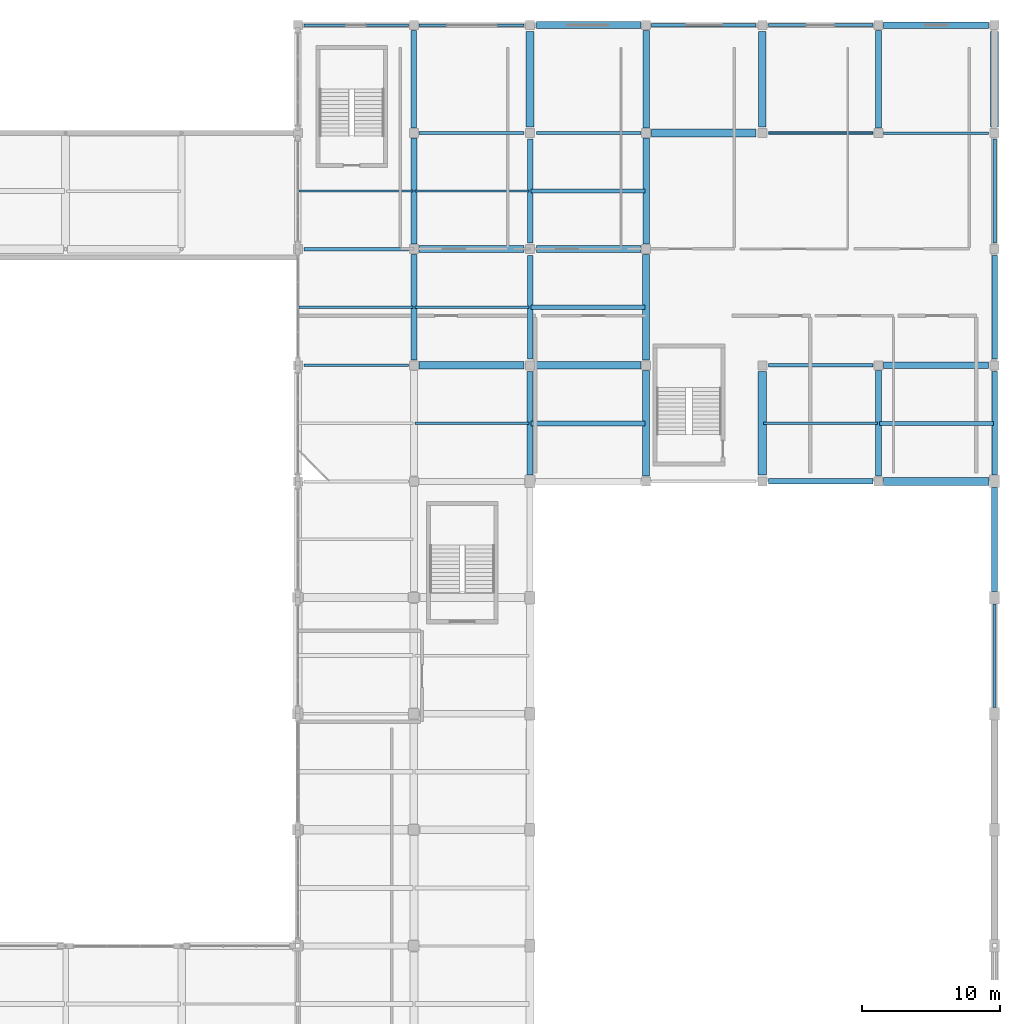
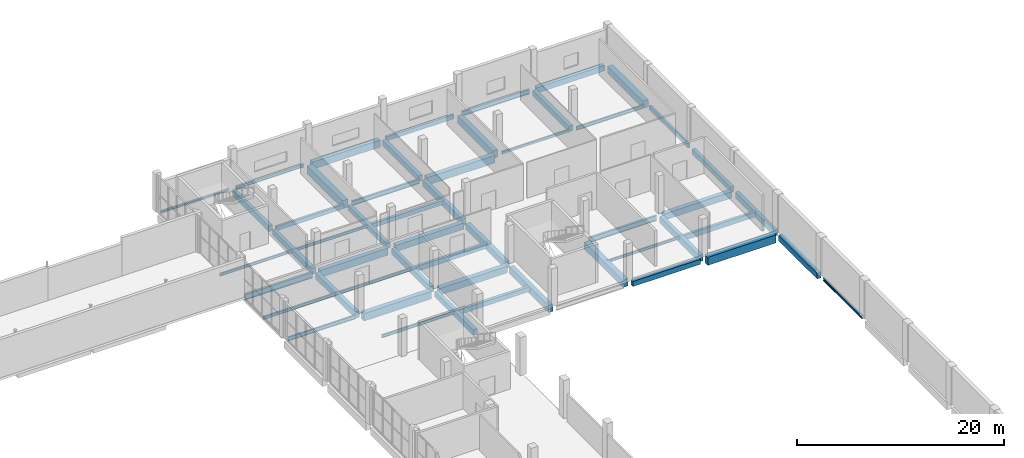
# One storey, part 45 of 75: 52 beams.
"""IFC4 building model written with IfcOpenShell, lengths in metres."""

from ifc_helpers import new_model, si_unit, derived_unit, direction, frame, origin, origin_2d, place, context, subcontext, project, spatial, rectangle, hollow_rectangle, i_section, extrude, material, material_profile, profile_set, type_object, element, save


model = new_model("IFC4")

# Units and contexts
model_context = context("Model", 3, precision=1e-05, world=origin(), true_north=direction((0.0, 1.0)))
body_context = subcontext(model_context, "Body", "Model", "MODEL_VIEW")
ifc_project = project(units=[si_unit("LENGTHUNIT", "METRE"), si_unit("AREAUNIT", "SQUARE_METRE"), si_unit("VOLUMEUNIT", "CUBIC_METRE"), si_unit("PLANEANGLEUNIT", "RADIAN"), si_unit("MASSUNIT", "GRAM", prefix="KILO"), derived_unit("THERMALTRANSMITTANCEUNIT", [(si_unit("POWERUNIT", "WATT"), 1), (si_unit("LENGTHUNIT", "METRE"), -2), (si_unit("THERMODYNAMICTEMPERATUREUNIT", "KELVIN"), -1)])], contexts=[model_context])

# Site, building, storey
site_placement = place(None, origin())
site = spatial("IfcSite", under=ifc_project, at=site_placement, CompositionType="ELEMENT")
building_placement = place(site_placement, origin())
building = spatial("IfcBuilding", under=site, at=building_placement, Name="Barrovel Congress Hotel", CompositionType="ELEMENT")
storey_placement = place(building_placement, frame((0.0, 0.0, 5.39990234375)))
storey = spatial("IfcBuildingStorey", under=building, at=storey_placement, Name="L01", CompositionType="ELEMENT", Elevation=5.39990234375)

# Beams
ifc_material_1 = material(Name="Concrete C40", Category="concrete")
ifc_material_profile_1 = material_profile(ifc_material_1, rectangle(XDim=0.25, YDim=0.5, at=origin_2d()), Name="RC250x500")
ifc_profile_set_1 = profile_set([ifc_material_profile_1], Name="Concrete C40")
beam_type_1 = type_object("IfcBeamType", Name="BM-RC250x500", PredefinedType="SPANDREL", material=ifc_profile_set_1)
beam_1_placement = place(storey_placement, frame((134.77490234375, 105.0, -0.510009765625), z_axis=(1.0, 0.0, 0.0), x_axis=(0.0, 1.0, 0.0)))
element("IfcBeam", 1, at=beam_1_placement, inside=storey, type_object=beam_type_1, Name="BMX:L01:105.0:134.4-142.8", PredefinedType="SPANDREL", context=body_context, shape_type="SweptSolid", body=[
    extrude(rectangle(XDim=0.25, YDim=0.5, at=origin_2d()), origin(), (0.0, 0.0, 1.0), 7.5751953125),
])
beam_2_placement = place(storey_placement, frame((151.574951171875, 112.800048828125, -0.510009765625), z_axis=(1.0, 0.0, 0.0), x_axis=(0.0, 1.0, 0.0)))
element("IfcBeam", 2, at=beam_2_placement, inside=storey, type_object=beam_type_1, Name="BMX:L01:112.8:151.2-159.6", PredefinedType="SPANDREL", context=body_context, shape_type="SweptSolid", body=[
    extrude(rectangle(XDim=0.25, YDim=0.5, at=origin_2d()), origin(), (0.0, 0.0, 1.0), 7.574951171875),
])
beam_3_placement = place(storey_placement, frame((176.39990234375, 97.050048828125, -0.510009765625), z_axis=(0.0, 1.0, 0.0), x_axis=(-1.0, 0.0, 0.0)))
element("IfcBeam", 3, at=beam_3_placement, inside=storey, type_object=beam_type_1, Name="BMY:L01:176.4:96.6-105.0", PredefinedType="SPANDREL", context=body_context, shape_type="SweptSolid", body=[
    extrude(rectangle(XDim=0.25, YDim=0.5, at=origin_2d()), origin(), (0.0, 0.0, 1.0), 7.5),
])
ifc_material_profile_2 = material_profile(ifc_material_1, rectangle(XDim=0.300048828125, YDim=0.5, at=origin_2d()), Name="RC300x500")
ifc_profile_set_2 = profile_set([ifc_material_profile_2], Name="Concrete C40")
beam_type_2 = type_object("IfcBeamType", Name="BM-RC300x500", PredefinedType="JOIST", material=ifc_profile_set_2)
beam_4_placement = place(storey_placement, frame((142.8798828125, 100.800048828125, -0.510009765625), z_axis=(1.0, 0.0, 0.0), x_axis=(0.0, 1.0, 0.0)))
element("IfcBeam", 4, at=beam_4_placement, inside=storey, type_object=beam_type_2, Name="JST:L01:142.8:100.8", PredefinedType="JOIST", context=body_context, shape_type="SweptSolid", body=[
    extrude(rectangle(XDim=0.300048828125, YDim=0.5, at=origin_2d()), origin(), (0.0, 0.0, 1.0), 8.240234375),
])
ifc_material_profile_3 = material_profile(ifc_material_1, rectangle(XDim=0.300048828125, YDim=0.60009765625, at=origin_2d()), Name="RC300x600")
ifc_profile_set_3 = profile_set([ifc_material_profile_3], Name="Concrete C40")
beam_type_3 = type_object("IfcBeamType", Name="BM-RC300x600", PredefinedType="JOIST", material=ifc_profile_set_3)
beam_5_placement = place(storey_placement, frame((142.8798828125, 92.39990234375, -0.559814453125), z_axis=(1.0, 0.0, 0.0), x_axis=(0.0, 1.0, 0.0)))
element("IfcBeam", 5, at=beam_5_placement, inside=storey, type_object=beam_type_3, Name="JST:L01:142.8:92.4", PredefinedType="JOIST", context=body_context, shape_type="SweptSolid", body=[
    extrude(rectangle(XDim=0.300048828125, YDim=0.60009765625, at=origin_2d()), origin(), (0.0, 0.0, 1.0), 8.240234375),
])
beam_6_placement = place(storey_placement, frame((168.080078125, 84.0, -0.559814453125), z_axis=(1.0, 0.0, 0.0), x_axis=(0.0, 1.0, 0.0)))
element("IfcBeam", 6, at=beam_6_placement, inside=storey, type_object=beam_type_3, Name="JST:L01:168.0:84.0", PredefinedType="JOIST", context=body_context, shape_type="SweptSolid", body=[
    extrude(rectangle(XDim=0.300048828125, YDim=0.60009765625, at=origin_2d()), origin(), (0.0, 0.0, 1.0), 8.239990234375),
])
ifc_material_profile_4 = material_profile(ifc_material_1, rectangle(XDim=0.35009765625, YDim=0.550048828125, at=origin_2d()), Name="RC350x550")
ifc_profile_set_4 = profile_set([ifc_material_profile_4], Name="Concrete C40")
beam_type_4 = type_object("IfcBeamType", Name="BM-RC350x550", PredefinedType="JOIST", material=ifc_profile_set_4)
beam_7_placement = place(storey_placement, frame((142.8798828125, 84.0, -0.534912109375), z_axis=(1.0, 0.0, 0.0), x_axis=(0.0, 1.0, 0.0)))
element("IfcBeam", 7, at=beam_7_placement, inside=storey, type_object=beam_type_4, Name="JST:L01:142.8:84.0", PredefinedType="JOIST", context=body_context, shape_type="SweptSolid", body=[
    extrude(rectangle(XDim=0.35009765625, YDim=0.550048828125, at=origin_2d()), origin(), (0.0, 0.0, 1.0), 8.240234375),
])
ifc_material_profile_5 = material_profile(ifc_material_1, rectangle(XDim=0.39990234375, YDim=0.60009765625, at=origin_2d()), Name="RC400x600")
ifc_profile_set_5 = profile_set([ifc_material_profile_5], Name="Concrete C40")
beam_type_5 = type_object("IfcBeamType", Name="BM-RC400x600", PredefinedType="BEAM", material=ifc_profile_set_5)
beam_8_placement = place(storey_placement, frame((160.050048828125, 79.800048828125, -0.559814453125), z_axis=(1.0, 0.0, 0.0), x_axis=(0.0, 1.0, 0.0)))
element("IfcBeam", 8, at=beam_8_placement, inside=storey, type_object=beam_type_5, Name="BMX:L01:79.8:159.6-168.0", PredefinedType="BEAM", context=body_context, shape_type="SweptSolid", body=[
    extrude(rectangle(XDim=0.39990234375, YDim=0.60009765625, at=origin_2d()), origin(), (0.0, 0.0, 1.0), 7.574951171875),
])
for number, where, z_axis, x_axis, name in (
    (9, (142.800048828125, 97.050048828125, -0.559814453125), (0.0, 1.0, 0.0), (-1.0, 0.0, 0.0), "BMY:L01:142.8:96.6-105.0"),
    (10, (176.39990234375, 88.64990234375, -0.559814453125), (0.0, 1.0, 0.0), (-1.0, 0.0, 0.0), "BMY:L01:176.4:88.2-96.6"),
):
    element("IfcBeam", number, at=place(storey_placement, frame(where, z_axis=z_axis, x_axis=x_axis)), inside=storey, type_object=beam_type_5, Name=name, PredefinedType="BEAM", context=body_context, shape_type="SweptSolid", body=[
        extrude(rectangle(XDim=0.39990234375, YDim=0.60009765625, at=origin_2d()), origin(), (0.0, 0.0, 1.0), 7.5),
    ])
ifc_material_profile_6 = material_profile(ifc_material_1, rectangle(XDim=0.39990234375, YDim=0.699951171875, at=origin_2d()), Name="RC400x700")
ifc_profile_set_6 = profile_set([ifc_material_profile_6], Name="Concrete C40")
beam_type_6 = type_object("IfcBeamType", Name="BM-RC400x700", PredefinedType="BEAM", material=ifc_profile_set_6)
beam_9_placement = place(storey_placement, frame((134.39990234375, 105.375, -0.60986328125), z_axis=(0.0, 1.0, 0.0), x_axis=(-1.0, 0.0, 0.0)))
element("IfcBeam", 11, at=beam_9_placement, inside=storey, type_object=beam_type_6, Name="BMY:L01:134.4:105.0-112.8", PredefinedType="BEAM", context=body_context, shape_type="SweptSolid", body=[
    extrude(rectangle(XDim=0.39990234375, YDim=0.699951171875, at=origin_2d()), origin(), (0.0, 0.0, 1.0), 7.050048828125),
])
for number, where, z_axis, x_axis, name in (
    (12, (142.800048828125, 88.64990234375, -0.60986328125), (0.0, 1.0, 0.0), (-1.0, 0.0, 0.0), "BMY:L01:142.8:88.2-96.6"),
    (13, (176.39990234375, 80.25, -0.60986328125), (0.0, 1.0, 0.0), (-1.0, 0.0, 0.0), "BMY:L01:176.4:79.8-88.2"),
):
    element("IfcBeam", number, at=place(storey_placement, frame(where, z_axis=z_axis, x_axis=x_axis)), inside=storey, type_object=beam_type_6, Name=name, PredefinedType="BEAM", context=body_context, shape_type="SweptSolid", body=[
        extrude(rectangle(XDim=0.39990234375, YDim=0.699951171875, at=origin_2d()), origin(), (0.0, 0.0, 1.0), 7.5),
    ])
ifc_material_profile_7 = material_profile(ifc_material_1, rectangle(XDim=0.449951171875, YDim=0.64990234375, at=origin_2d()), Name="RC450x650")
ifc_profile_set_7 = profile_set([ifc_material_profile_7], Name="Concrete C40")
beam_type_7 = type_object("IfcBeamType", Name="BM-RC450x650", PredefinedType="BEAM", material=ifc_profile_set_7)
beam_10_placement = place(storey_placement, frame((168.375, 112.800048828125, -0.5849609375), z_axis=(1.0, 0.0, 0.0), x_axis=(0.0, 1.0, 0.0)))
element("IfcBeam", 14, at=beam_10_placement, inside=storey, type_object=beam_type_7, Name="BMX:L01:112.8:168.0-176.4", PredefinedType="BEAM", context=body_context, shape_type="SweptSolid", body=[
    extrude(rectangle(XDim=0.449951171875, YDim=0.64990234375, at=origin_2d()), origin(), (0.0, 0.0, 1.0), 7.574951171875),
])
beam_11_placement = place(storey_placement, frame((134.39990234375, 96.97509765625, -0.5849609375), z_axis=(0.0, 1.0, 0.0), x_axis=(-1.0, 0.0, 0.0)))
element("IfcBeam", 15, at=beam_11_placement, inside=storey, type_object=beam_type_7, Name="BMY:L01:134.4:96.6-105.0", PredefinedType="BEAM", context=body_context, shape_type="SweptSolid", body=[
    extrude(rectangle(XDim=0.449951171875, YDim=0.64990234375, at=origin_2d()), origin(), (0.0, 0.0, 1.0), 7.64990234375),
])
beam_12_placement = place(storey_placement, frame((142.800048828125, 80.25, -0.5849609375), z_axis=(0.0, 1.0, 0.0), x_axis=(-1.0, 0.0, 0.0)))
element("IfcBeam", 16, at=beam_12_placement, inside=storey, type_object=beam_type_7, Name="BMY:L01:142.8:79.8-88.2", PredefinedType="BEAM", context=body_context, shape_type="SweptSolid", body=[
    extrude(rectangle(XDim=0.449951171875, YDim=0.64990234375, at=origin_2d()), origin(), (0.0, 0.0, 1.0), 7.5),
])
for number, where, z_axis, x_axis, name in (
    (17, (151.199951171875, 105.375, -0.5849609375), (0.0, 1.0, 0.0), (-1.0, 0.0, 0.0), "BMY:L01:151.2:105.0-112.8"),
    (18, (168.0, 105.375, -0.5849609375), (0.0, 1.0, 0.0), (-1.0, 0.0, 0.0), "BMY:L01:168.0:105.0-112.8"),
):
    element("IfcBeam", number, at=place(storey_placement, frame(where, z_axis=z_axis, x_axis=x_axis)), inside=storey, type_object=beam_type_7, Name=name, PredefinedType="BEAM", context=body_context, shape_type="SweptSolid", body=[
        extrude(rectangle(XDim=0.449951171875, YDim=0.64990234375, at=origin_2d()), origin(), (0.0, 0.0, 1.0), 7.050048828125),
    ])
beam_13_placement = place(storey_placement, frame((176.39990234375, 71.85009765625, -0.5849609375), z_axis=(0.0, 1.0, 0.0), x_axis=(-1.0, 0.0, 0.0)))
element("IfcBeam", 19, at=beam_13_placement, inside=storey, type_object=beam_type_7, Name="BMY:L01:176.4:71.4-79.8", PredefinedType="BEAM", context=body_context, shape_type="SweptSolid", body=[
    extrude(rectangle(XDim=0.449951171875, YDim=0.64990234375, at=origin_2d()), origin(), (0.0, 0.0, 1.0), 7.5),
])
ifc_material_profile_8 = material_profile(ifc_material_1, rectangle(XDim=0.449951171875, YDim=0.75, at=origin_2d()), Name="RC450x750")
ifc_profile_set_8 = profile_set([ifc_material_profile_8], Name="Concrete C40")
beam_type_8 = type_object("IfcBeamType", Name="BM-RC450x750", PredefinedType="BEAM", material=ifc_profile_set_8)
beam_14_placement = place(storey_placement, frame((134.39990234375, 88.574951171875, -0.635009765625), z_axis=(0.0, 1.0, 0.0), x_axis=(-1.0, 0.0, 0.0)))
element("IfcBeam", 20, at=beam_14_placement, inside=storey, type_object=beam_type_8, Name="BMY:L01:134.4:88.2-96.6", PredefinedType="BEAM", context=body_context, shape_type="SweptSolid", body=[
    extrude(rectangle(XDim=0.449951171875, YDim=0.75, at=origin_2d()), origin(), (0.0, 0.0, 1.0), 7.650146484375),
])
for number, where, z_axis, x_axis, name in (
    (21, (151.199951171875, 96.97509765625, -0.635009765625), (0.0, 1.0, 0.0), (-1.0, 0.0, 0.0), "BMY:L01:151.2:96.6-105.0"),
    (22, (168.0, 80.175048828125, -0.635009765625), (0.0, 1.0, 0.0), (-1.0, 0.0, 0.0), "BMY:L01:168.0:79.8-88.2"),
):
    element("IfcBeam", number, at=place(storey_placement, frame(where, z_axis=z_axis, x_axis=x_axis)), inside=storey, type_object=beam_type_8, Name=name, PredefinedType="BEAM", context=body_context, shape_type="SweptSolid", body=[
        extrude(rectangle(XDim=0.449951171875, YDim=0.75, at=origin_2d()), origin(), (0.0, 0.0, 1.0), 7.64990234375),
    ])
ifc_material_profile_9 = material_profile(ifc_material_1, rectangle(XDim=0.5, YDim=0.75, at=origin_2d()), Name="RC500x750")
ifc_profile_set_9 = profile_set([ifc_material_profile_9], Name="Concrete C40")
beam_type_9 = type_object("IfcBeamType", Name="BM-RC500x750", PredefinedType="BEAM", material=ifc_profile_set_9)
for number, where, z_axis, x_axis, name in (
    (23, (168.375, 88.199951171875, -0.635009765625), (1.0, 0.0, 0.0), (0.0, 1.0, 0.0), "BMX:L01:88.2:168.0-176.4"),
    (24, (143.25, 96.60009765625, -0.635009765625), (1.0, 0.0, 0.0), (0.0, 1.0, 0.0), "BMX:L01:96.6:142.8-151.2"),
):
    element("IfcBeam", number, at=place(storey_placement, frame(where, z_axis=z_axis, x_axis=x_axis)), inside=storey, type_object=beam_type_9, Name=name, PredefinedType="BEAM", context=body_context, shape_type="SweptSolid", body=[
        extrude(rectangle(XDim=0.5, YDim=0.75, at=origin_2d()), origin(), (0.0, 0.0, 1.0), 7.574951171875),
    ])
beam_15_placement = place(storey_placement, frame((151.199951171875, 88.574951171875, -0.635009765625), z_axis=(0.0, 1.0, 0.0), x_axis=(-1.0, 0.0, 0.0)))
element("IfcBeam", 25, at=beam_15_placement, inside=storey, type_object=beam_type_9, Name="BMY:L01:151.2:88.2-96.6", PredefinedType="BEAM", context=body_context, shape_type="SweptSolid", body=[
    extrude(rectangle(XDim=0.5, YDim=0.75, at=origin_2d()), origin(), (0.0, 0.0, 1.0), 7.650146484375),
])
ifc_material_profile_10 = material_profile(ifc_material_1, rectangle(XDim=0.5, YDim=0.85009765625, at=origin_2d()), Name="RC500x850")
ifc_profile_set_10 = profile_set([ifc_material_profile_10], Name="Concrete C40")
beam_type_10 = type_object("IfcBeamType", Name="BM-RC500x850", PredefinedType="BEAM", material=ifc_profile_set_10)
beam_16_placement = place(storey_placement, frame((134.77490234375, 96.60009765625, -0.684814453125), z_axis=(1.0, 0.0, 0.0), x_axis=(0.0, 1.0, 0.0)))
element("IfcBeam", 26, at=beam_16_placement, inside=storey, type_object=beam_type_10, Name="BMX:L01:96.6:134.4-142.8", PredefinedType="BEAM", context=body_context, shape_type="SweptSolid", body=[
    extrude(rectangle(XDim=0.5, YDim=0.85009765625, at=origin_2d()), origin(), (0.0, 0.0, 1.0), 7.5751953125),
])
beam_17_placement = place(storey_placement, frame((143.25, 112.800048828125, -0.684814453125), z_axis=(1.0, 0.0, 0.0), x_axis=(0.0, 1.0, 0.0)))
element("IfcBeam", 27, at=beam_17_placement, inside=storey, type_object=beam_type_10, Name="BMX:L01:112.8:142.8-151.2", PredefinedType="BEAM", context=body_context, shape_type="SweptSolid", body=[
    extrude(rectangle(XDim=0.5, YDim=0.85009765625, at=origin_2d()), origin(), (0.0, 0.0, 1.0), 7.574951171875),
])
beam_18_placement = place(storey_placement, frame((151.199951171875, 80.175048828125, -0.684814453125), z_axis=(0.0, 1.0, 0.0), x_axis=(-1.0, 0.0, 0.0)))
element("IfcBeam", 28, at=beam_18_placement, inside=storey, type_object=beam_type_10, Name="BMY:L01:151.2:79.8-88.2", PredefinedType="BEAM", context=body_context, shape_type="SweptSolid", body=[
    extrude(rectangle(XDim=0.5, YDim=0.85009765625, at=origin_2d()), origin(), (0.0, 0.0, 1.0), 7.64990234375),
])
ifc_material_profile_11 = material_profile(ifc_material_1, rectangle(XDim=0.550048828125, YDim=0.800048828125, at=origin_2d()), Name="RC550x800")
ifc_profile_set_11 = profile_set([ifc_material_profile_11], Name="Concrete C40")
beam_type_11 = type_object("IfcBeamType", Name="BM-RC550x800", PredefinedType="BEAM", material=ifc_profile_set_11)
beam_19_placement = place(storey_placement, frame((143.25, 88.199951171875, -0.659912109375), z_axis=(1.0, 0.0, 0.0), x_axis=(0.0, 1.0, 0.0)))
element("IfcBeam", 29, at=beam_19_placement, inside=storey, type_object=beam_type_11, Name="BMX:L01:88.2:142.8-151.2", PredefinedType="BEAM", context=body_context, shape_type="SweptSolid", body=[
    extrude(rectangle(XDim=0.550048828125, YDim=0.800048828125, at=origin_2d()), origin(), (0.0, 0.0, 1.0), 7.574951171875),
])
ifc_material_profile_12 = material_profile(ifc_material_1, rectangle(XDim=0.550048828125, YDim=0.89990234375, at=origin_2d()), Name="RC550x900")
ifc_profile_set_12 = profile_set([ifc_material_profile_12], Name="Concrete C40")
beam_type_12 = type_object("IfcBeamType", Name="BM-RC550x900", PredefinedType="BEAM", material=ifc_profile_set_12)
beam_20_placement = place(storey_placement, frame((134.77490234375, 88.199951171875, -0.7099609375), z_axis=(1.0, 0.0, 0.0), x_axis=(0.0, 1.0, 0.0)))
element("IfcBeam", 30, at=beam_20_placement, inside=storey, type_object=beam_type_12, Name="BMX:L01:88.2:134.4-142.8", PredefinedType="BEAM", context=body_context, shape_type="SweptSolid", body=[
    extrude(rectangle(XDim=0.550048828125, YDim=0.89990234375, at=origin_2d()), origin(), (0.0, 0.0, 1.0), 7.5751953125),
])
beam_21_placement = place(storey_placement, frame((151.574951171875, 105.0, -0.7099609375), z_axis=(1.0, 0.0, 0.0), x_axis=(0.0, 1.0, 0.0)))
element("IfcBeam", 31, at=beam_21_placement, inside=storey, type_object=beam_type_12, Name="BMX:L01:105.0:151.2-159.6", PredefinedType="BEAM", context=body_context, shape_type="SweptSolid", body=[
    extrude(rectangle(XDim=0.550048828125, YDim=0.89990234375, at=origin_2d()), origin(), (0.0, 0.0, 1.0), 7.574951171875),
])
beam_22_placement = place(storey_placement, frame((159.60009765625, 105.449951171875, -0.7099609375), z_axis=(0.0, 1.0, 0.0), x_axis=(-1.0, 0.0, 0.0)))
element("IfcBeam", 32, at=beam_22_placement, inside=storey, type_object=beam_type_12, Name="BMY:L01:159.6:105.0-112.8", PredefinedType="BEAM", context=body_context, shape_type="SweptSolid", body=[
    extrude(rectangle(XDim=0.550048828125, YDim=0.89990234375, at=origin_2d()), origin(), (0.0, 0.0, 1.0), 6.900146484375),
])
ifc_material_profile_13 = material_profile(ifc_material_1, rectangle(XDim=0.60009765625, YDim=0.85009765625, at=origin_2d()), Name="RC600x850")
ifc_profile_set_13 = profile_set([ifc_material_profile_13], Name="Concrete C40")
beam_type_13 = type_object("IfcBeamType", Name="BM-RC600x850", PredefinedType="BEAM", material=ifc_profile_set_13)
beam_23_placement = place(storey_placement, frame((159.60009765625, 80.25, -0.684814453125), z_axis=(0.0, 1.0, 0.0), x_axis=(-1.0, 0.0, 0.0)))
element("IfcBeam", 33, at=beam_23_placement, inside=storey, type_object=beam_type_13, Name="BMY:L01:159.6:79.8-88.2", PredefinedType="BEAM", context=body_context, shape_type="SweptSolid", body=[
    extrude(rectangle(XDim=0.60009765625, YDim=0.85009765625, at=origin_2d()), origin(), (0.0, 0.0, 1.0), 7.5),
])
beam_24_placement = place(storey_placement, frame((176.39990234375, 105.449951171875, -0.684814453125), z_axis=(0.0, 1.0, 0.0), x_axis=(-1.0, 0.0, 0.0)))
element("IfcBeam", 34, at=beam_24_placement, inside=storey, type_object=beam_type_13, Name="BMY:L01:176.4:105.0-112.8", PredefinedType="BEAM", context=body_context, shape_type="SweptSolid", body=[
    extrude(rectangle(XDim=0.60009765625, YDim=0.85009765625, at=origin_2d()), origin(), (0.0, 0.0, 1.0), 6.900146484375),
])
ifc_material_profile_14 = material_profile(ifc_material_1, rectangle(XDim=0.60009765625, YDim=0.949951171875, at=origin_2d()), Name="RC600x950")
ifc_profile_set_14 = profile_set([ifc_material_profile_14], Name="Concrete C40")
beam_type_14 = type_object("IfcBeamType", Name="BM-RC600x950", PredefinedType="BEAM", material=ifc_profile_set_14)
beam_25_placement = place(storey_placement, frame((168.375, 79.800048828125, -0.73486328125), z_axis=(1.0, 0.0, 0.0), x_axis=(0.0, 1.0, 0.0)))
element("IfcBeam", 35, at=beam_25_placement, inside=storey, type_object=beam_type_14, Name="BMX:L01:79.8:168.0-176.4", PredefinedType="BEAM", context=body_context, shape_type="SweptSolid", body=[
    extrude(rectangle(XDim=0.60009765625, YDim=0.949951171875, at=origin_2d()), origin(), (0.0, 0.0, 1.0), 7.625),
])
beam_26_placement = place(storey_placement, frame((142.800048828125, 105.449951171875, -0.73486328125), z_axis=(0.0, 1.0, 0.0), x_axis=(-1.0, 0.0, 0.0)))
element("IfcBeam", 36, at=beam_26_placement, inside=storey, type_object=beam_type_14, Name="BMY:L01:142.8:105.0-112.8", PredefinedType="BEAM", context=body_context, shape_type="SweptSolid", body=[
    extrude(rectangle(XDim=0.60009765625, YDim=0.949951171875, at=origin_2d()), origin(), (0.0, 0.0, 1.0), 6.900146484375),
])
ifc_material_2 = material(Name="Steel ASTM A500 Grade C", Category="steel")
ifc_material_profile_15 = material_profile(ifc_material_2, hollow_rectangle(XDim=0.203125, YDim=0.3046875, WallThickness=0.01171875, InnerFilletRadius=0.01171875, OuterFilletRadius=0.023681640625, at=origin_2d()), Name="HSS305x203x12.7")
ifc_profile_set_15 = profile_set([ifc_material_profile_15], Name="Steel ASTM A500 Grade C")
beam_type_15 = type_object("IfcBeamType", Name="SBM-HSS305x203x12.7", PredefinedType="SPANDREL", material=ifc_profile_set_15)
beam_27_placement = place(storey_placement, frame((160.050048828125, 105.0, -0.412353515625), z_axis=(1.0, 0.0, 0.0), x_axis=(0.0, 1.0, 0.0)))
element("IfcBeam", 37, at=beam_27_placement, inside=storey, type_object=beam_type_15, Name="BMX:L01:105.0:159.6-168.0", PredefinedType="SPANDREL", context=body_context, shape_type="SweptSolid", body=[
    extrude(hollow_rectangle(XDim=0.203125, YDim=0.3046875, WallThickness=0.01171875, InnerFilletRadius=0.01171875, OuterFilletRadius=0.023681640625, at=origin_2d()), origin(), (0.0, 0.0, 1.0), 7.574951171875),
])
ifc_material_3 = material(Name="Steel ASTM A992 Grade 50", Category="steel")
ifc_material_profile_16 = material_profile(ifc_material_3, i_section(OverallWidth=0.201904296875, OverallDepth=0.2470703125, WebThickness=0.00732421875, FlangeThickness=0.010986328125, FilletRadius=0.011962890625, at=origin_2d()), Name="W250x49")
ifc_profile_set_16 = profile_set([ifc_material_profile_16], Name="Steel ASTM A992 Grade 50")
beam_type_16 = type_object("IfcBeamType", Name="SBM-W250x49", PredefinedType="SPANDREL", material=ifc_profile_set_16)
beam_28_placement = place(storey_placement, frame((126.449951171875, 112.800048828125, -0.38330078125), z_axis=(1.0, 0.0, 0.0), x_axis=(0.0, 1.0, 0.0)))
element("IfcBeam", 38, at=beam_28_placement, inside=storey, type_object=beam_type_16, Name="BMX:L01:112.8:126.0-134.4", PredefinedType="SPANDREL", context=body_context, shape_type="SweptSolid", body=[
    extrude(i_section(OverallWidth=0.201904296875, OverallDepth=0.2470703125, WebThickness=0.00732421875, FlangeThickness=0.010986328125, FilletRadius=0.011962890625, at=origin_2d()), origin(), (0.0, 0.0, 1.0), 7.574951171875),
])
ifc_material_profile_17 = material_profile(ifc_material_3, i_section(OverallWidth=0.1650390625, OverallDepth=0.31005859375, WebThickness=0.005859375, FlangeThickness=0.009765625, FilletRadius=0.010986328125, at=origin_2d()), Name="W310x39")
ifc_profile_set_17 = profile_set([ifc_material_profile_17], Name="Steel ASTM A992 Grade 50")
beam_type_17 = type_object("IfcBeamType", Name="SBM-W310x39", PredefinedType="JOIST", material=ifc_profile_set_17)
beam_29_placement = place(storey_placement, frame((159.679931640625, 84.0, -0.414794921875), z_axis=(1.0, 0.0, 0.0), x_axis=(0.0, 1.0, 0.0)))
element("IfcBeam", 39, at=beam_29_placement, inside=storey, type_object=beam_type_17, Name="JST:L01:159.6:84.0", PredefinedType="JOIST", context=body_context, shape_type="SweptSolid", body=[
    extrude(i_section(OverallWidth=0.1650390625, OverallDepth=0.31005859375, WebThickness=0.005859375, FlangeThickness=0.009765625, FilletRadius=0.010986328125, at=origin_2d()), origin(), (0.0, 0.0, 1.0), 8.239990234375),
])
ifc_material_profile_18 = material_profile(ifc_material_3, i_section(OverallWidth=0.1669921875, OverallDepth=0.31689453125, WebThickness=0.007568359375, FlangeThickness=0.01318359375, FilletRadius=0.010986328125, at=origin_2d()), Name="W310x52")
ifc_profile_set_18 = profile_set([ifc_material_profile_18], Name="Steel ASTM A992 Grade 50")
beam_type_18 = type_object("IfcBeamType", Name="SBM-W310x52", PredefinedType="JOIST", material=ifc_profile_set_18)
for number, where, z_axis, x_axis, name in (
    (40, (126.080078125, 100.800048828125, -0.41845703125), (1.0, 0.0, 0.0), (0.0, 1.0, 0.0), "JST:L01:126.0:100.8"),
    (41, (134.47998046875, 100.800048828125, -0.41845703125), (1.0, 0.0, 0.0), (0.0, 1.0, 0.0), "JST:L01:134.4:100.8"),
):
    element("IfcBeam", number, at=place(storey_placement, frame(where, z_axis=z_axis, x_axis=x_axis)), inside=storey, type_object=beam_type_18, Name=name, PredefinedType="JOIST", context=body_context, shape_type="SweptSolid", body=[
        extrude(i_section(OverallWidth=0.1669921875, OverallDepth=0.31689453125, WebThickness=0.007568359375, FlangeThickness=0.01318359375, FilletRadius=0.010986328125, at=origin_2d()), origin(), (0.0, 0.0, 1.0), 8.239990234375),
    ])
ifc_material_profile_19 = material_profile(ifc_material_3, i_section(OverallWidth=0.205078125, OverallDepth=0.31005859375, WebThickness=0.009521484375, FlangeThickness=0.016357421875, FilletRadius=0.012939453125, at=origin_2d()), Name="W310x74")
ifc_profile_set_19 = profile_set([ifc_material_profile_19], Name="Steel ASTM A992 Grade 50")
beam_type_19 = type_object("IfcBeamType", Name="SBM-W310x74", PredefinedType="SPANDREL", material=ifc_profile_set_19)
beam_30_placement = place(storey_placement, frame((176.39990234375, 63.449951171875, -0.414794921875), z_axis=(0.0, 1.0, 0.0), x_axis=(-1.0, 0.0, 0.0)))
element("IfcBeam", 42, at=beam_30_placement, inside=storey, type_object=beam_type_19, Name="BMY:L01:176.4:63.0-71.4", PredefinedType="SPANDREL", context=body_context, shape_type="SweptSolid", body=[
    extrude(i_section(OverallWidth=0.205078125, OverallDepth=0.31005859375, WebThickness=0.009521484375, FlangeThickness=0.016357421875, FilletRadius=0.012939453125, at=origin_2d()), origin(), (0.0, 0.0, 1.0), 7.5),
])
ifc_material_profile_20 = material_profile(ifc_material_3, i_section(OverallWidth=0.1708984375, OverallDepth=0.35205078125, WebThickness=0.0068359375, FlangeThickness=0.009765625, FilletRadius=0.011962890625, at=origin_2d()), Name="W360x44")
ifc_profile_set_20 = profile_set([ifc_material_profile_20], Name="Steel ASTM A992 Grade 50")
beam_type_20 = type_object("IfcBeamType", Name="SBM-W360x44", PredefinedType="JOIST", material=ifc_profile_set_20)
for number, where, z_axis, x_axis, name in (
    (43, (126.080078125, 92.39990234375, -0.435791015625), (1.0, 0.0, 0.0), (0.0, 1.0, 0.0), "JST:L01:126.0:92.4"),
    (44, (134.47998046875, 92.39990234375, -0.435791015625), (1.0, 0.0, 0.0), (0.0, 1.0, 0.0), "JST:L01:134.4:92.4"),
):
    element("IfcBeam", number, at=place(storey_placement, frame(where, z_axis=z_axis, x_axis=x_axis)), inside=storey, type_object=beam_type_20, Name=name, PredefinedType="JOIST", context=body_context, shape_type="SweptSolid", body=[
        extrude(i_section(OverallWidth=0.1708984375, OverallDepth=0.35205078125, WebThickness=0.0068359375, FlangeThickness=0.009765625, FilletRadius=0.011962890625, at=origin_2d()), origin(), (0.0, 0.0, 1.0), 8.239990234375),
    ])
ifc_material_profile_21 = material_profile(ifc_material_3, i_section(OverallWidth=0.172119140625, OverallDepth=0.35791015625, WebThickness=0.0078125, FlangeThickness=0.01318359375, FilletRadius=0.011962890625, at=origin_2d()), Name="W360x57")
ifc_profile_set_21 = profile_set([ifc_material_profile_21], Name="Steel ASTM A992 Grade 50")
beam_type_21 = type_object("IfcBeamType", Name="SBM-W360x57", PredefinedType="JOIST", material=ifc_profile_set_21)
beam_31_placement = place(storey_placement, frame((134.47998046875, 84.0, -0.43896484375), z_axis=(1.0, 0.0, 0.0), x_axis=(0.0, 1.0, 0.0)))
element("IfcBeam", 45, at=beam_31_placement, inside=storey, type_object=beam_type_21, Name="JST:L01:134.4:84.0", PredefinedType="JOIST", context=body_context, shape_type="SweptSolid", body=[
    extrude(i_section(OverallWidth=0.172119140625, OverallDepth=0.35791015625, WebThickness=0.0078125, FlangeThickness=0.01318359375, FilletRadius=0.011962890625, at=origin_2d()), origin(), (0.0, 0.0, 1.0), 8.239990234375),
])
ifc_material_profile_22 = material_profile(ifc_material_3, i_section(OverallWidth=0.205078125, OverallDepth=0.35400390625, WebThickness=0.009521484375, FlangeThickness=0.016845703125, FilletRadius=0.012939453125, at=origin_2d()), Name="W360x79")
ifc_profile_set_22 = profile_set([ifc_material_profile_22], Name="Steel ASTM A992 Grade 50")
beam_type_22 = type_object("IfcBeamType", Name="SBM-W360x79", PredefinedType="BEAM", material=ifc_profile_set_22)
beam_32_placement = place(storey_placement, frame((134.77490234375, 112.800048828125, -0.43701171875), z_axis=(1.0, 0.0, 0.0), x_axis=(0.0, 1.0, 0.0)))
element("IfcBeam", 46, at=beam_32_placement, inside=storey, type_object=beam_type_22, Name="BMX:L01:112.8:134.4-142.8", PredefinedType="BEAM", context=body_context, shape_type="SweptSolid", body=[
    extrude(i_section(OverallWidth=0.205078125, OverallDepth=0.35400390625, WebThickness=0.009521484375, FlangeThickness=0.016845703125, FilletRadius=0.012939453125, at=origin_2d()), origin(), (0.0, 0.0, 1.0), 7.5751953125),
])
ifc_material_profile_23 = material_profile(ifc_material_3, i_section(OverallWidth=0.178955078125, OverallDepth=0.409912109375, WebThickness=0.0087890625, FlangeThickness=0.014404296875, FilletRadius=0.011962890625, at=origin_2d()), Name="W410x67")
ifc_profile_set_23 = profile_set([ifc_material_profile_23], Name="Steel ASTM A992 Grade 50")
beam_type_23 = type_object("IfcBeamType", Name="SBM-W410x67", PredefinedType="BEAM", material=ifc_profile_set_23)
beam_33_placement = place(storey_placement, frame((168.375, 105.0, -0.46484375), z_axis=(1.0, 0.0, 0.0), x_axis=(0.0, 1.0, 0.0)))
element("IfcBeam", 47, at=beam_33_placement, inside=storey, type_object=beam_type_23, Name="BMX:L01:105.0:168.0-176.4", PredefinedType="BEAM", context=body_context, shape_type="SweptSolid", body=[
    extrude(i_section(OverallWidth=0.178955078125, OverallDepth=0.409912109375, WebThickness=0.0087890625, FlangeThickness=0.014404296875, FilletRadius=0.011962890625, at=origin_2d()), origin(), (0.0, 0.0, 1.0), 7.574951171875),
])
ifc_material_profile_24 = material_profile(ifc_material_3, i_section(OverallWidth=0.154052734375, OverallDepth=0.458984375, WebThickness=0.009033203125, FlangeThickness=0.015380859375, FilletRadius=0.012939453125, at=origin_2d()), Name="W460x68")
ifc_profile_set_24 = profile_set([ifc_material_profile_24], Name="Steel ASTM A992 Grade 50")
beam_type_24 = type_object("IfcBeamType", Name="SBM-W460x68", PredefinedType="BEAM", material=ifc_profile_set_24)
beam_34_placement = place(storey_placement, frame((126.449951171875, 88.199951171875, -0.489501953125), z_axis=(1.0, 0.0, 0.0), x_axis=(0.0, 1.0, 0.0)))
element("IfcBeam", 48, at=beam_34_placement, inside=storey, type_object=beam_type_24, Name="BMX:L01:88.2:126.0-134.4", PredefinedType="BEAM", context=body_context, shape_type="SweptSolid", body=[
    extrude(i_section(OverallWidth=0.154052734375, OverallDepth=0.458984375, WebThickness=0.009033203125, FlangeThickness=0.015380859375, FilletRadius=0.012939453125, at=origin_2d()), origin(), (0.0, 0.0, 1.0), 7.574951171875),
])
ifc_material_profile_25 = material_profile(ifc_material_3, i_section(OverallWidth=0.208984375, OverallDepth=0.529052734375, WebThickness=0.009765625, FlangeThickness=0.013671875, FilletRadius=0.013916015625, at=origin_2d()), Name="W530x74")
ifc_profile_set_25 = profile_set([ifc_material_profile_25], Name="Steel ASTM A992 Grade 50")
beam_type_25 = type_object("IfcBeamType", Name="SBM-W530x74", PredefinedType="BEAM", material=ifc_profile_set_25)
beam_35_placement = place(storey_placement, frame((143.25, 105.0, -0.5244140625), z_axis=(1.0, 0.0, 0.0), x_axis=(0.0, 1.0, 0.0)))
element("IfcBeam", 49, at=beam_35_placement, inside=storey, type_object=beam_type_25, Name="BMX:L01:105.0:142.8-151.2", PredefinedType="BEAM", context=body_context, shape_type="SweptSolid", body=[
    extrude(i_section(OverallWidth=0.208984375, OverallDepth=0.529052734375, WebThickness=0.009765625, FlangeThickness=0.013671875, FilletRadius=0.013916015625, at=origin_2d()), origin(), (0.0, 0.0, 1.0), 7.574951171875),
])
ifc_material_profile_26 = material_profile(ifc_material_3, i_section(OverallWidth=0.208984375, OverallDepth=0.532958984375, WebThickness=0.01025390625, FlangeThickness=0.015625, FilletRadius=0.013916015625, at=origin_2d()), Name="W530x92")
ifc_profile_set_26 = profile_set([ifc_material_profile_26], Name="Steel ASTM A992 Grade 50")
beam_type_26 = type_object("IfcBeamType", Name="SBM-W530x92", PredefinedType="BEAM", material=ifc_profile_set_26)
beam_36_placement = place(storey_placement, frame((160.050048828125, 112.800048828125, -0.5263671875), z_axis=(1.0, 0.0, 0.0), x_axis=(0.0, 1.0, 0.0)))
element("IfcBeam", 50, at=beam_36_placement, inside=storey, type_object=beam_type_26, Name="BMX:L01:112.8:159.6-168.0", PredefinedType="BEAM", context=body_context, shape_type="SweptSolid", body=[
    extrude(i_section(OverallWidth=0.208984375, OverallDepth=0.532958984375, WebThickness=0.01025390625, FlangeThickness=0.015625, FilletRadius=0.013916015625, at=origin_2d()), origin(), (0.0, 0.0, 1.0), 7.574951171875),
])
ifc_material_profile_27 = material_profile(ifc_material_3, i_section(OverallWidth=0.22802734375, OverallDepth=0.60302734375, WebThickness=0.010498046875, FlangeThickness=0.014892578125, FilletRadius=0.014892578125, at=origin_2d()), Name="W610x101")
ifc_profile_set_27 = profile_set([ifc_material_profile_27], Name="Steel ASTM A992 Grade 50")
beam_type_27 = type_object("IfcBeamType", Name="SBM-W610x101", PredefinedType="BEAM", material=ifc_profile_set_27)
beam_37_placement = place(storey_placement, frame((160.050048828125, 88.199951171875, -0.5615234375), z_axis=(1.0, 0.0, 0.0), x_axis=(0.0, 1.0, 0.0)))
element("IfcBeam", 51, at=beam_37_placement, inside=storey, type_object=beam_type_27, Name="BMX:L01:88.2:159.6-168.0", PredefinedType="BEAM", context=body_context, shape_type="SweptSolid", body=[
    extrude(i_section(OverallWidth=0.22802734375, OverallDepth=0.60302734375, WebThickness=0.010498046875, FlangeThickness=0.014892578125, FilletRadius=0.014892578125, at=origin_2d()), origin(), (0.0, 0.0, 1.0), 7.574951171875),
])
ifc_material_profile_28 = material_profile(ifc_material_3, i_section(OverallWidth=0.25390625, OverallDepth=0.68408203125, WebThickness=0.012451171875, FlangeThickness=0.01904296875, FilletRadius=0.014892578125, at=origin_2d()), Name="W690x140")
ifc_profile_set_28 = profile_set([ifc_material_profile_28], Name="Steel ASTM A992 Grade 50")
beam_type_28 = type_object("IfcBeamType", Name="SBM-W690x140", PredefinedType="BEAM", material=ifc_profile_set_28)
beam_38_placement = place(storey_placement, frame((126.449951171875, 96.60009765625, -0.601806640625), z_axis=(1.0, 0.0, 0.0), x_axis=(0.0, 1.0, 0.0)))
element("IfcBeam", 52, at=beam_38_placement, inside=storey, type_object=beam_type_28, Name="BMX:L01:96.6:126.0-134.4", PredefinedType="BEAM", context=body_context, shape_type="SweptSolid", body=[
    extrude(i_section(OverallWidth=0.25390625, OverallDepth=0.68408203125, WebThickness=0.012451171875, FlangeThickness=0.01904296875, FilletRadius=0.014892578125, at=origin_2d()), origin(), (0.0, 0.0, 1.0), 7.574951171875),
])

save(model, "model.ifc")
